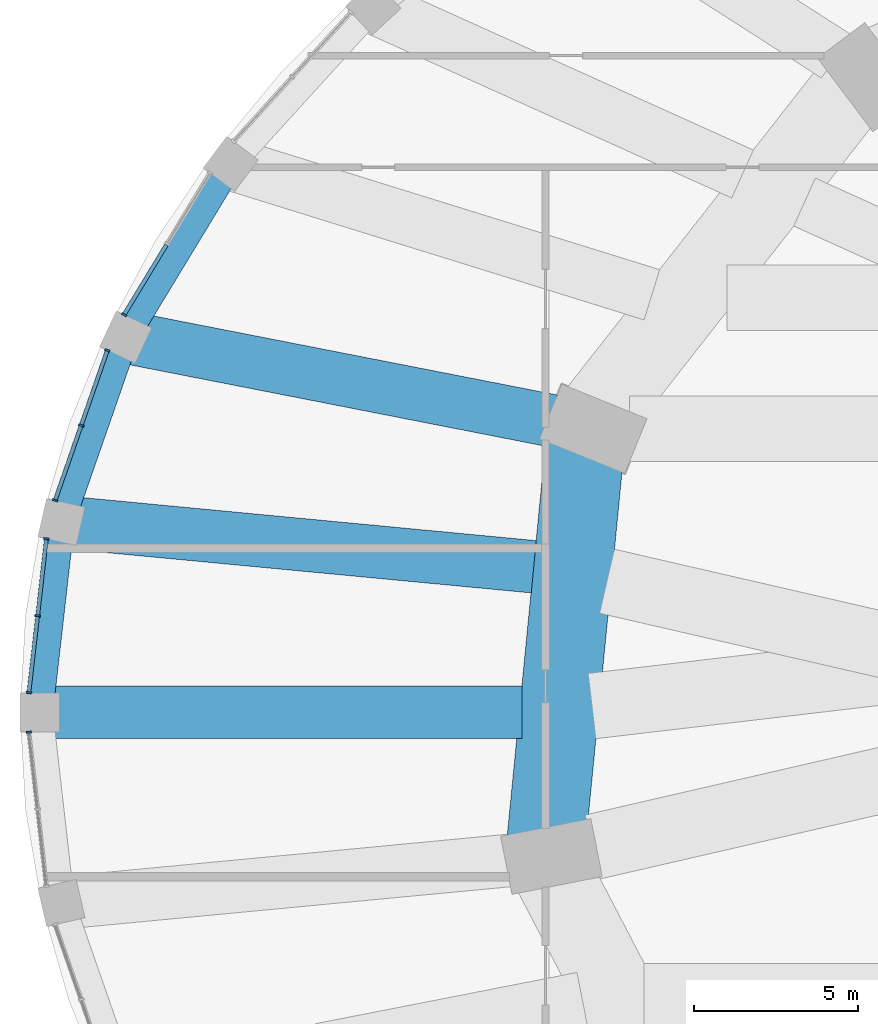
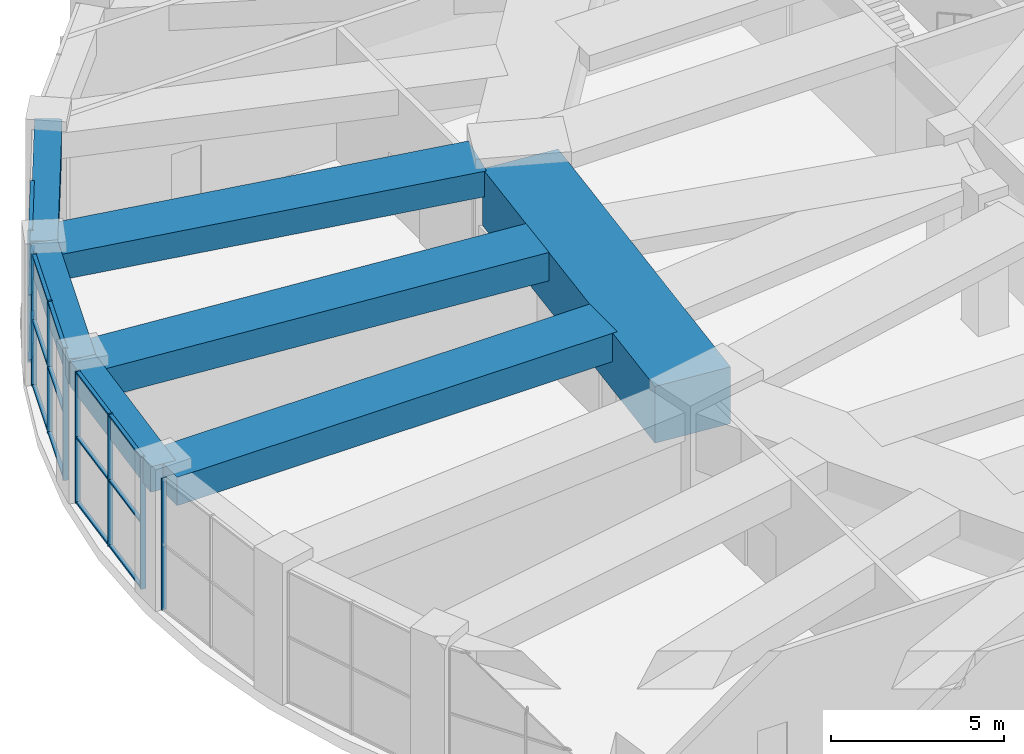
# One storey, part 8 of 30: 23 members, 7 beams, 4 elements without a shape of their own.
"""IFC4 building model written with IfcOpenShell, lengths in metres."""

from ifc_helpers import new_model, si_unit, direction, frame, origin, origin_2d, place, context, subcontext, project, spatial, rectangle, extrude, material, material_profile, profile_set, type_object, element, aggregate, save


model = new_model("IFC4")

# Units and contexts
model_context = context("Model", 3, precision=1e-05, world=origin(), true_north=direction((0.0, 1.0)))
body_context = subcontext(model_context, "Body", "Model", "MODEL_VIEW")
ifc_project = project(units=[si_unit("LENGTHUNIT", "METRE"), si_unit("AREAUNIT", "SQUARE_METRE"), si_unit("VOLUMEUNIT", "CUBIC_METRE"), si_unit("PLANEANGLEUNIT", "RADIAN"), si_unit("MASSUNIT", "GRAM", prefix="KILO")], contexts=[model_context])

# Site, building, storey
site_placement = place(None, origin())
site = spatial("IfcSite", under=ifc_project, at=site_placement, CompositionType="ELEMENT")
building_placement = place(site_placement, origin())
building = spatial("IfcBuilding", under=site, at=building_placement, Name="Taillehof Tower", CompositionType="ELEMENT")
storey_placement = place(building_placement, frame((0.0, 0.0, 12.5)))
storey = spatial("IfcBuildingStorey", under=building, at=storey_placement, Name="L02", CompositionType="ELEMENT", Elevation=12.5)

# Beams
ifc_material_1 = material(Name="Concrete C50/60", Category="concrete")
ifc_material_profile_1 = material_profile(ifc_material_1, rectangle(XDim=0.800048828125, YDim=0.89990234375, at=origin_2d()), Name="RC 800x900")
ifc_profile_set_1 = profile_set([ifc_material_profile_1], Name="Concrete C50/60")
beam_type_1 = type_object("IfcBeamType", Name="Podium edge beam C50/60 800x900", PredefinedType="BEAM", material=ifc_profile_set_1)
beam_1_placement = place(storey_placement, frame((-37.58544921875, 16.699951171875, 4.199951171875), z_axis=(-0.518238569123, -0.855236099258, 0.0), x_axis=(0.855236099258, -0.518238569123, 0.0)))
element("IfcBeam", 1, at=beam_1_placement, inside=storey, type_object=beam_type_1, Name="Podium edge beam PB16", PredefinedType="BEAM", context=body_context, shape_type="SweptSolid", body=[
    extrude(rectangle(XDim=0.800048828125, YDim=0.89990234375, at=origin_2d()), origin(), (0.0, 0.0, 1.0), 6.16943359375),
])
beam_2_placement = place(storey_placement, frame((-40.78271484375, 11.423583984375, 4.199951171875), z_axis=(-0.328806837859, -0.94439719577, 0.0), x_axis=(0.94439719577, -0.328806837859, 0.0)))
element("IfcBeam", 2, at=beam_2_placement, inside=storey, type_object=beam_type_1, Name="Podium edge beam PB17", PredefinedType="BEAM", context=body_context, shape_type="SweptSolid", body=[
    extrude(rectangle(XDim=0.800048828125, YDim=0.89990234375, at=origin_2d()), origin(), (0.0, 0.0, 1.0), 5.954833984375),
])
beam_3_placement = place(storey_placement, frame((-42.74072265625, 5.7998046875, 4.199951171875), z_axis=(-0.112928457179, -0.993603121754, 0.0), x_axis=(0.993603121754, -0.112928457179, 0.0)))
element("IfcBeam", 3, at=beam_3_placement, inside=storey, type_object=beam_type_1, Name="Podium edge beam PB18", PredefinedType="BEAM", context=body_context, shape_type="SweptSolid", body=[
    extrude(rectangle(XDim=0.800048828125, YDim=0.89990234375, at=origin_2d()), origin(), (0.0, 0.0, 1.0), 5.837158203125),
])
ifc_material_2 = material(Name="Concrete C50/60", Category="concrete")
ifc_material_profile_2 = material_profile(ifc_material_2, rectangle(XDim=1.60009765625, YDim=1.0, at=origin_2d()), Name="RC 1600x1000")
ifc_profile_set_2 = profile_set([ifc_material_profile_2], Name="Concrete C50/60")
beam_type_2 = type_object("IfcBeamType", Name="Podium radial beam C50/60 1600x1000", PredefinedType="BEAM", material=ifc_profile_set_2)
beam_4_placement = place(storey_placement, frame((-42.74072265625, 5.7998046875, 4.14990234375), z_axis=(0.995531702559, -0.094427904773, 0.0), x_axis=(0.094427904773, 0.995531702559, 0.0)))
element("IfcBeam", 4, at=beam_4_placement, inside=storey, type_object=beam_type_2, Name="Podium radial beam PR18", PredefinedType="BEAM", context=body_context, shape_type="SweptSolid", body=[
    extrude(rectangle(XDim=1.60009765625, YDim=1.0, at=origin_2d()), origin(), (0.0, 0.0, 1.0), 14.447509765625),
])
beam_5_placement = place(storey_placement, frame((-43.39990234375, 0.0, 4.14990234375), z_axis=(1.0, 0.0, 0.0), x_axis=(0.0, 1.0, 0.0)))
element("IfcBeam", 5, at=beam_5_placement, inside=storey, type_object=beam_type_2, Name="Podium radial beam PR19", PredefinedType="BEAM", context=body_context, shape_type="SweptSolid", body=[
    extrude(rectangle(XDim=1.60009765625, YDim=1.0, at=origin_2d()), origin(), (0.0, 0.0, 1.0), 14.685791015625),
])
ifc_material_3 = material(Name="Concrete C50/60", Category="concrete")
ifc_material_profile_3 = material_profile(ifc_material_3, rectangle(XDim=1.60009765625, YDim=0.89990234375, at=origin_2d()), Name="RC 1600x900")
ifc_profile_set_3 = profile_set([ifc_material_profile_3], Name="Concrete C50/60")
beam_type_3 = type_object("IfcBeamType", Name="Podium radial beam C50/60 1600x900", PredefinedType="BEAM", material=ifc_profile_set_3)
beam_6_placement = place(storey_placement, frame((-40.78271484375, 11.423583984375, 4.199951171875), z_axis=(0.981362804823, -0.192164110357, 0.0), x_axis=(0.192164110357, 0.981362804823, 0.0)))
element("IfcBeam", 6, at=beam_6_placement, inside=storey, type_object=beam_type_3, Name="Podium radial beam PR17", PredefinedType="BEAM", context=body_context, shape_type="SweptSolid", body=[
    extrude(rectangle(XDim=1.60009765625, YDim=0.89990234375, at=origin_2d()), origin(), (0.0, 0.0, 1.0), 13.23974609375),
])

# Curtain wall, member
ifc_material_4 = material(Name="Aluminium curtain wall with Clear low-emissivity double glazing", Category="aluminium")
curtain_wall_type = type_object("IfcCurtainWallType", Name="Podium window wall curtain wall", PredefinedType="USERDEFINED", material=ifc_material_4)
curtain_wall_1_placement = place(storey_placement, origin())
curtain_wall_1 = element("IfcCurtainWall", 7, at=curtain_wall_1_placement, inside=storey, type_object=curtain_wall_type, Name="Podium window wall L02 bay 16", ObjectType="WINDOW WALL", PredefinedType="USERDEFINED")
ifc_material_5 = material(Name="Aluminium mullion", Category="aluminium")
ifc_material_profile_4 = material_profile(ifc_material_5, rectangle(XDim=0.159912109375, YDim=0.06005859375, at=origin_2d()), Name="AL 60x160")
ifc_profile_set_4 = profile_set([ifc_material_profile_4], Name="Aluminium mullion")
member_type_1 = type_object("IfcMemberType", Name="Podium window wall mullion 60x160", PredefinedType="MULLION", material=ifc_profile_set_4)
member_1_placement = place(storey_placement, frame((-40.8310546875, 12.109375, 0.0), z_axis=(0.0, 0.0, 1.0), x_axis=(0.855288863309, -0.518151483931, 0.0)))
member_1 = element("IfcMember", 8, at=member_1_placement, type_object=member_type_1, Name="CT216 mullion 3", PredefinedType="MULLION", context=body_context, shape_type="SweptSolid", body=[
    extrude(rectangle(XDim=0.159912109375, YDim=0.06005859375, at=origin_2d()), origin(), (0.0, 0.0, 1.0), 4.64990234375),
])

# Curtain wall, members
curtain_wall_2_placement = place(storey_placement, origin())
curtain_wall_2 = element("IfcCurtainWall", 9, at=curtain_wall_2_placement, inside=storey, type_object=curtain_wall_type, Name="Podium window wall L02 bay 17", ObjectType="WINDOW WALL", PredefinedType="USERDEFINED")
member_2_placement = place(storey_placement, frame((-41.341796875, 11.023681640625, 0.0), z_axis=(0.0, 0.0, 1.0), x_axis=(0.944414333464, -0.328757610934, 0.0)))
member_2 = element("IfcMember", 10, at=member_2_placement, type_object=member_type_1, Name="CT217 mullion 1", PredefinedType="MULLION", context=body_context, shape_type="SweptSolid", body=[
    extrude(rectangle(XDim=0.159912109375, YDim=0.06005859375, at=origin_2d()), origin(), (0.0, 0.0, 1.0), 4.64990234375),
])
member_3_placement = place(storey_placement, frame((-42.136474609375, 8.7412109375, 0.0), z_axis=(0.0, 0.0, 1.0), x_axis=(0.944414333464, -0.328757610934, 0.0)))
member_3 = element("IfcMember", 11, at=member_3_placement, type_object=member_type_1, Name="CT217 mullion 2", PredefinedType="MULLION", context=body_context, shape_type="SweptSolid", body=[
    extrude(rectangle(XDim=0.159912109375, YDim=0.06005859375, at=origin_2d()), origin(), (0.0, 0.0, 1.0), 4.64990234375),
])
member_4_placement = place(storey_placement, frame((-42.930908203125, 6.458740234375, 0.0), z_axis=(0.0, 0.0, 1.0), x_axis=(0.944414333464, -0.328757610934, 0.0)))
member_4 = element("IfcMember", 12, at=member_4_placement, type_object=member_type_1, Name="CT217 mullion 3", PredefinedType="MULLION", context=body_context, shape_type="SweptSolid", body=[
    extrude(rectangle(XDim=0.159912109375, YDim=0.06005859375, at=origin_2d()), origin(), (0.0, 0.0, 1.0), 4.64990234375),
])

curtain_wall_3_placement = place(storey_placement, origin())
curtain_wall_3 = element("IfcCurtainWall", 13, at=curtain_wall_3_placement, inside=storey, type_object=curtain_wall_type, Name="Podium window wall L02 bay 18", ObjectType="WINDOW WALL", PredefinedType="USERDEFINED")
member_5_placement = place(storey_placement, frame((-43.197509765625, 5.28857421875, 0.0), z_axis=(0.0, 0.0, 1.0), x_axis=(0.993602669771, -0.112932433888, 0.0)))
member_5 = element("IfcMember", 14, at=member_5_placement, type_object=member_type_1, Name="CT218 mullion 1", PredefinedType="MULLION", context=body_context, shape_type="SweptSolid", body=[
    extrude(rectangle(XDim=0.159912109375, YDim=0.06005859375, at=origin_2d()), origin(), (0.0, 0.0, 1.0), 4.64990234375),
])
member_6_placement = place(storey_placement, frame((-43.464111328125, 2.9443359375, 0.0), z_axis=(0.0, 0.0, 1.0), x_axis=(0.993602669771, -0.112932433888, 0.0)))
member_6 = element("IfcMember", 15, at=member_6_placement, type_object=member_type_1, Name="CT218 mullion 2", PredefinedType="MULLION", context=body_context, shape_type="SweptSolid", body=[
    extrude(rectangle(XDim=0.159912109375, YDim=0.06005859375, at=origin_2d()), origin(), (0.0, 0.0, 1.0), 4.64990234375),
])
member_7_placement = place(storey_placement, frame((-43.73046875, 0.60009765625, 0.0), z_axis=(0.0, 0.0, 1.0), x_axis=(0.993602669771, -0.112932433888, 0.0)))
member_7 = element("IfcMember", 16, at=member_7_placement, type_object=member_type_1, Name="CT218 mullion 3", PredefinedType="MULLION", context=body_context, shape_type="SweptSolid", body=[
    extrude(rectangle(XDim=0.159912109375, YDim=0.06005859375, at=origin_2d()), origin(), (0.0, 0.0, 1.0), 4.64990234375),
])

# Curtain wall, member
curtain_wall_4_placement = place(storey_placement, origin())
curtain_wall_4 = element("IfcCurtainWall", 17, at=curtain_wall_4_placement, inside=storey, type_object=curtain_wall_type, Name="Podium window wall L02 bay 19", ObjectType="WINDOW WALL", PredefinedType="USERDEFINED")
member_8_placement = place(storey_placement, frame((-43.73046875, -0.60009765625, 0.0), z_axis=(0.0, 0.0, 1.0), x_axis=(0.993602669771, 0.112932433888, 0.0)))
member_8 = element("IfcMember", 18, at=member_8_placement, type_object=member_type_1, Name="CT219 mullion 1", PredefinedType="MULLION", context=body_context, shape_type="SweptSolid", body=[
    extrude(rectangle(XDim=0.159912109375, YDim=0.06005859375, at=origin_2d()), origin(), (0.0, 0.0, 1.0), 4.64990234375),
])
aggregate(curtain_wall_4, [member_8])

# Member
ifc_material_6 = material(Name="Aluminium transom", Category="aluminium")
ifc_material_profile_5 = material_profile(ifc_material_6, rectangle(XDim=0.1201171875, YDim=0.06005859375, at=origin_2d()), Name="AL 120x60")
ifc_profile_set_5 = profile_set([ifc_material_profile_5], Name="Aluminium transom")
member_type_2 = type_object("IfcMemberType", Name="Podium window wall transom 120x60", PredefinedType="USERDEFINED", material=ifc_profile_set_5)
member_9_placement = place(storey_placement, frame((-39.539794921875, 14.24072265625, 0.030029296875), z_axis=(-0.518136875535, -0.855297713203, 0.0), x_axis=(0.855297713203, -0.518136875535, 0.0)))
member_9 = element("IfcMember", 19, at=member_9_placement, type_object=member_type_2, Name="CT216 transom 2.1", ObjectType="TRANSOM", PredefinedType="USERDEFINED", context=body_context, shape_type="SweptSolid", body=[
    extrude(rectangle(XDim=0.1201171875, YDim=0.06005859375, at=origin_2d()), origin(), (0.0, 0.0, 1.0), 2.4619140625),
])

member_10_placement = place(storey_placement, frame((-39.539794921875, 14.24072265625, 2.324951171875), z_axis=(-0.518136875535, -0.855297713203, 0.0), x_axis=(0.855297713203, -0.518136875535, 0.0)))
member_10 = element("IfcMember", 20, at=member_10_placement, type_object=member_type_2, Name="CT216 transom 2.2", ObjectType="TRANSOM", PredefinedType="USERDEFINED", context=body_context, shape_type="SweptSolid", body=[
    extrude(rectangle(XDim=0.1201171875, YDim=0.06005859375, at=origin_2d()), origin(), (0.0, 0.0, 1.0), 2.4619140625),
])

member_11_placement = place(storey_placement, frame((-39.539794921875, 14.24072265625, 4.6201171875), z_axis=(-0.518136875535, -0.855297713203, 0.0), x_axis=(0.855297713203, -0.518136875535, 0.0)))
member_11 = element("IfcMember", 21, at=member_11_placement, type_object=member_type_2, Name="CT216 transom 2.3", ObjectType="TRANSOM", PredefinedType="USERDEFINED", context=body_context, shape_type="SweptSolid", body=[
    extrude(rectangle(XDim=0.1201171875, YDim=0.06005859375, at=origin_2d()), origin(), (0.0, 0.0, 1.0), 2.4619140625),
])

aggregate(curtain_wall_1, [member_1, member_9, member_10, member_11])

member_12_placement = place(storey_placement, frame((-41.351806640625, 10.995361328125, 0.030029296875), z_axis=(-0.328693387122, -0.9444366878, 0.0), x_axis=(0.9444366878, -0.328693387122, 0.0)))
member_12 = element("IfcMember", 22, at=member_12_placement, type_object=member_type_2, Name="CT217 transom 1.1", ObjectType="TRANSOM", PredefinedType="USERDEFINED", context=body_context, shape_type="SweptSolid", body=[
    extrude(rectangle(XDim=0.1201171875, YDim=0.06005859375, at=origin_2d()), origin(), (0.0, 0.0, 1.0), 2.356689453125),
])

member_13_placement = place(storey_placement, frame((-41.351806640625, 10.995361328125, 2.324951171875), z_axis=(-0.328693387122, -0.9444366878, 0.0), x_axis=(0.9444366878, -0.328693387122, 0.0)))
member_13 = element("IfcMember", 23, at=member_13_placement, type_object=member_type_2, Name="CT217 transom 1.2", ObjectType="TRANSOM", PredefinedType="USERDEFINED", context=body_context, shape_type="SweptSolid", body=[
    extrude(rectangle(XDim=0.1201171875, YDim=0.06005859375, at=origin_2d()), origin(), (0.0, 0.0, 1.0), 2.356689453125),
])

member_14_placement = place(storey_placement, frame((-41.351806640625, 10.995361328125, 4.6201171875), z_axis=(-0.328693387122, -0.9444366878, 0.0), x_axis=(0.9444366878, -0.328693387122, 0.0)))
member_14 = element("IfcMember", 24, at=member_14_placement, type_object=member_type_2, Name="CT217 transom 1.3", ObjectType="TRANSOM", PredefinedType="USERDEFINED", context=body_context, shape_type="SweptSolid", body=[
    extrude(rectangle(XDim=0.1201171875, YDim=0.06005859375, at=origin_2d()), origin(), (0.0, 0.0, 1.0), 2.356689453125),
])

member_15_placement = place(storey_placement, frame((-42.146240234375, 8.712890625, 0.030029296875), z_axis=(-0.328785781258, -0.944404526695, 0.0), x_axis=(0.944404526695, -0.328785781258, 0.0)))
member_15 = element("IfcMember", 25, at=member_15_placement, type_object=member_type_2, Name="CT217 transom 2.1", ObjectType="TRANSOM", PredefinedType="USERDEFINED", context=body_context, shape_type="SweptSolid", body=[
    extrude(rectangle(XDim=0.1201171875, YDim=0.06005859375, at=origin_2d()), origin(), (0.0, 0.0, 1.0), 2.35693359375),
])

member_16_placement = place(storey_placement, frame((-42.146240234375, 8.712890625, 2.324951171875), z_axis=(-0.328785781258, -0.944404526695, 0.0), x_axis=(0.944404526695, -0.328785781258, 0.0)))
member_16 = element("IfcMember", 26, at=member_16_placement, type_object=member_type_2, Name="CT217 transom 2.2", ObjectType="TRANSOM", PredefinedType="USERDEFINED", context=body_context, shape_type="SweptSolid", body=[
    extrude(rectangle(XDim=0.1201171875, YDim=0.06005859375, at=origin_2d()), origin(), (0.0, 0.0, 1.0), 2.35693359375),
])

member_17_placement = place(storey_placement, frame((-42.146240234375, 8.712890625, 4.6201171875), z_axis=(-0.328785781258, -0.944404526695, 0.0), x_axis=(0.944404526695, -0.328785781258, 0.0)))
member_17 = element("IfcMember", 27, at=member_17_placement, type_object=member_type_2, Name="CT217 transom 2.3", ObjectType="TRANSOM", PredefinedType="USERDEFINED", context=body_context, shape_type="SweptSolid", body=[
    extrude(rectangle(XDim=0.1201171875, YDim=0.06005859375, at=origin_2d()), origin(), (0.0, 0.0, 1.0), 2.35693359375),
])

aggregate(curtain_wall_2, [member_2, member_3, member_4, member_12, member_13, member_14, member_15, member_16, member_17])

member_18_placement = place(storey_placement, frame((-43.200927734375, 5.2587890625, 0.030029296875), z_axis=(-0.112971628537, -0.993598214142, 0.0), x_axis=(0.993598214142, -0.112971628537, 0.0)))
member_18 = element("IfcMember", 28, at=member_18_placement, type_object=member_type_2, Name="CT218 transom 1.1", ObjectType="TRANSOM", PredefinedType="USERDEFINED", context=body_context, shape_type="SweptSolid", body=[
    extrude(rectangle(XDim=0.1201171875, YDim=0.06005859375, at=origin_2d()), origin(), (0.0, 0.0, 1.0), 2.29931640625),
])

member_19_placement = place(storey_placement, frame((-43.200927734375, 5.2587890625, 2.324951171875), z_axis=(-0.112971628537, -0.993598214142, 0.0), x_axis=(0.993598214142, -0.112971628537, 0.0)))
member_19 = element("IfcMember", 29, at=member_19_placement, type_object=member_type_2, Name="CT218 transom 1.2", ObjectType="TRANSOM", PredefinedType="USERDEFINED", context=body_context, shape_type="SweptSolid", body=[
    extrude(rectangle(XDim=0.1201171875, YDim=0.06005859375, at=origin_2d()), origin(), (0.0, 0.0, 1.0), 2.29931640625),
])

member_20_placement = place(storey_placement, frame((-43.200927734375, 5.2587890625, 4.6201171875), z_axis=(-0.112971628537, -0.993598214142, 0.0), x_axis=(0.993598214142, -0.112971628537, 0.0)))
member_20 = element("IfcMember", 30, at=member_20_placement, type_object=member_type_2, Name="CT218 transom 1.3", ObjectType="TRANSOM", PredefinedType="USERDEFINED", context=body_context, shape_type="SweptSolid", body=[
    extrude(rectangle(XDim=0.1201171875, YDim=0.06005859375, at=origin_2d()), origin(), (0.0, 0.0, 1.0), 2.29931640625),
])

member_21_placement = place(storey_placement, frame((-43.467529296875, 2.91455078125, 0.030029296875), z_axis=(-0.112866805394, -0.993610126881, 0.0), x_axis=(0.993610126881, -0.112866805394, 0.0)))
member_21 = element("IfcMember", 31, at=member_21_placement, type_object=member_type_2, Name="CT218 transom 2.1", ObjectType="TRANSOM", PredefinedType="USERDEFINED", context=body_context, shape_type="SweptSolid", body=[
    extrude(rectangle(XDim=0.1201171875, YDim=0.06005859375, at=origin_2d()), origin(), (0.0, 0.0, 1.0), 2.29931640625),
])

member_22_placement = place(storey_placement, frame((-43.467529296875, 2.91455078125, 2.324951171875), z_axis=(-0.112866805394, -0.993610126881, 0.0), x_axis=(0.993610126881, -0.112866805394, 0.0)))
member_22 = element("IfcMember", 32, at=member_22_placement, type_object=member_type_2, Name="CT218 transom 2.2", ObjectType="TRANSOM", PredefinedType="USERDEFINED", context=body_context, shape_type="SweptSolid", body=[
    extrude(rectangle(XDim=0.1201171875, YDim=0.06005859375, at=origin_2d()), origin(), (0.0, 0.0, 1.0), 2.29931640625),
])

member_23_placement = place(storey_placement, frame((-43.467529296875, 2.91455078125, 4.6201171875), z_axis=(-0.112866805394, -0.993610126881, 0.0), x_axis=(0.993610126881, -0.112866805394, 0.0)))
member_23 = element("IfcMember", 33, at=member_23_placement, type_object=member_type_2, Name="CT218 transom 2.3", ObjectType="TRANSOM", PredefinedType="USERDEFINED", context=body_context, shape_type="SweptSolid", body=[
    extrude(rectangle(XDim=0.1201171875, YDim=0.06005859375, at=origin_2d()), origin(), (0.0, 0.0, 1.0), 2.29931640625),
])

aggregate(curtain_wall_3, [member_5, member_6, member_7, member_18, member_19, member_20, member_21, member_22, member_23])

# Beam
ifc_material_7 = material(Name="Concrete C80/95", Category="concrete")
ifc_material_profile_6 = material_profile(ifc_material_7, rectangle(XDim=2.39990234375, YDim=2.0, at=origin_2d()), Name="RC 2400x2000")
ifc_profile_set_6 = profile_set([ifc_material_profile_6], Name="Concrete C80/95")
beam_type_4 = type_object("IfcBeamType", Name="Transfer girder C80/95 2400x2000", PredefinedType="BEAM", material=ifc_profile_set_6)
beam_7_placement = place(storey_placement, frame((-26.7958984375, 8.138671875, 3.64990234375), z_axis=(-0.097419134698, -0.995243443683, 0.0), x_axis=(0.995243443683, -0.097419134698, 0.0)))
element("IfcBeam", 34, at=beam_7_placement, inside=storey, type_object=beam_type_4, Name="Transfer girder TG06", PredefinedType="BEAM", context=body_context, shape_type="SweptSolid", body=[
    extrude(rectangle(XDim=2.39990234375, YDim=2.0, at=origin_2d()), origin(), (0.0, 0.0, 1.0), 12.04931640625),
])

save(model, "model.ifc")
